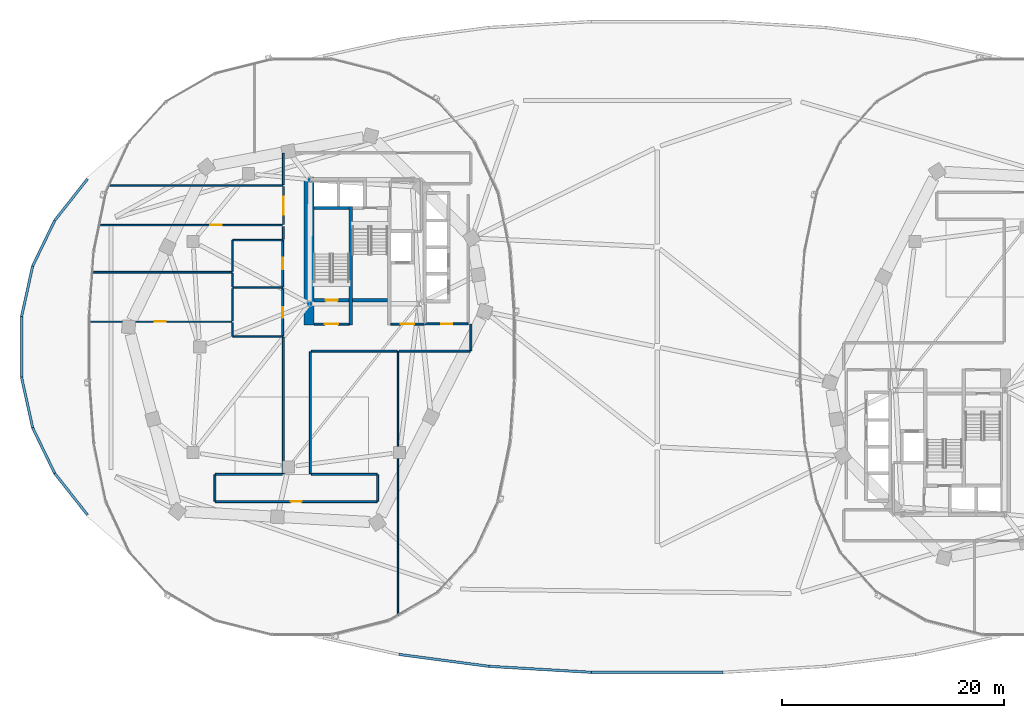
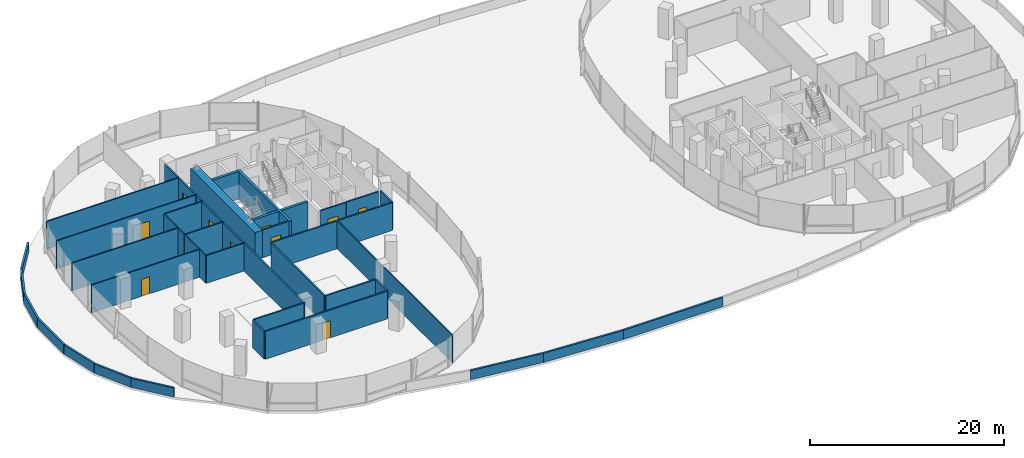
# One storey, part 18 of 28: 45 walls, 10 doors, 10 openings.
"""IFC4 building model written with IfcOpenShell, lengths in metres."""

from ifc_helpers import new_model, si_unit, direction, frame, frame_2d, origin, place, context, subcontext, project, spatial, rectangle, extrude, material, layer, layer_set, type_object, element, fill, save


model = new_model("IFC4")

# Units and contexts
model_context = context("Model", 3, precision=1e-05, world=origin(), true_north=direction((0.0, 1.0)))
body_context = subcontext(model_context, "Body", "Model", "MODEL_VIEW")
ifc_project = project(units=[si_unit("LENGTHUNIT", "METRE"), si_unit("AREAUNIT", "SQUARE_METRE"), si_unit("VOLUMEUNIT", "CUBIC_METRE"), si_unit("PLANEANGLEUNIT", "RADIAN"), si_unit("MASSUNIT", "GRAM", prefix="KILO"), si_unit("THERMODYNAMICTEMPERATUREUNIT", "KELVIN"), si_unit("POWERUNIT", "WATT")], contexts=[model_context])

# Site, building, storey
site_placement = place(None, origin())
site = spatial("IfcSite", under=ifc_project, at=site_placement, CompositionType="ELEMENT")
building_placement = place(site_placement, origin())
building = spatial("IfcBuilding", under=site, at=building_placement, Name="Cundina Bronze Exchange", CompositionType="ELEMENT")
storey_placement = place(building_placement, frame((0.0, 0.0, 24.0)))
storey = spatial("IfcBuildingStorey", under=building, at=storey_placement, Name="L05", CompositionType="ELEMENT", Elevation=24.0)

# Wall, opening, door
ifc_material_1 = material(Name="Gypsum Fireboard Partition EI120")
ifc_layer_1 = layer(ifc_material_1, 0.179931640625, Name="Gypsum Fireboard Partition EI120")
ifc_layer_set_1 = layer_set([ifc_layer_1], Name="Gypsum Fireboard Partition EI120")
wall_type_1 = type_object("IfcWallType", Name="WL-COR-180", PredefinedType="PARTITIONING", material=ifc_layer_set_1)
wall_1_placement = place(storey_placement, frame((-23.97998046875, 2.06005859375, 0.0), z_axis=(0.0, 0.0, 1.0), x_axis=(1.0, 0.0, 0.0)))
wall_1 = element("IfcWall", 1, at=wall_1_placement, inside=storey, type_object=wall_type_1, Name="L05 W Firefighting Lobby Exit Wall", PredefinedType="PARTITIONING", context=body_context, shape_type="SweptSolid", body=[
    extrude(rectangle(XDim=3.0, YDim=0.179931640625, at=frame_2d((1.5, 0.0))), origin(), (0.0, 0.0, 1.0), 3.5),
])
opening_1_placement = place(wall_1_placement, frame((0.89990234375, 0.0, 0.0)))
opening_1 = element("IfcOpeningElement", 2, at=opening_1_placement, cuts=wall_1, Name="Opening DF-01", PredefinedType="OPENING", context=body_context, shape_type="SweptSolid", body=[
    extrude(rectangle(XDim=1.199951171875, YDim=2.14990234375, at=frame_2d((0.60009765625, 1.074951171875))), frame((0.0, 0.099853515625, 0.0), z_axis=(0.0, -1.0, 0.0), x_axis=(1.0, 0.0, 0.0)), (0.0, 0.0, 1.0), 0.199951171875),
])
ifc_material_2 = material(Name="Steel ASTM A36 Painted", Category="steel")
door_type_1 = type_object("IfcDoorType", Name="DR-FFL-1200", OperationType="NOTDEFINED", PredefinedType="DOOR", material=ifc_material_2)
door_1_placement = place(opening_1_placement, origin())
door_1 = element("IfcDoor", 3, at=door_1_placement, inside=storey, type_object=door_type_1, Name="L05 W Firefighting Lobby Door", OperationType="SINGLE_SWING_RIGHT", OverallHeight=2.14990234375, OverallWidth=1.199951171875, PredefinedType="DOOR", context=body_context, shape_type="SweptSolid", body=[
    extrude(rectangle(XDim=1.199951171875, YDim=2.14990234375, at=frame_2d((0.60009765625, 1.074951171875))), frame((0.0, 0.02490234375, 0.0), z_axis=(0.0, -1.0, 0.0), x_axis=(1.0, 0.0, 0.0)), (0.0, 0.0, 1.0), 0.050048828125),
])
fill(opening_1, door_1)

wall_2_placement = place(storey_placement, frame((-30.89990234375, 2.06005859375, 0.0), z_axis=(0.0, 0.0, 1.0), x_axis=(1.0, 0.0, 0.0)))
wall_2 = element("IfcWall", 4, at=wall_2_placement, inside=storey, type_object=wall_type_1, Name="L05 W Stair Vestibule Exit Wall", PredefinedType="PARTITIONING", context=body_context, shape_type="SweptSolid", body=[
    extrude(rectangle(XDim=3.159912109375, YDim=0.179931640625, at=frame_2d((1.580078125, 0.0))), origin(), (0.0, 0.0, 1.0), 3.5),
])
opening_2_placement = place(wall_2_placement, frame((0.97998046875, 0.0, 0.0)))
opening_2 = element("IfcOpeningElement", 5, at=opening_2_placement, cuts=wall_2, Name="Opening DF-01", PredefinedType="OPENING", context=body_context, shape_type="SweptSolid", body=[
    extrude(rectangle(XDim=1.199951171875, YDim=2.14990234375, at=frame_2d((0.60009765625, 1.074951171875))), frame((0.0, 0.099853515625, 0.0), z_axis=(0.0, -1.0, 0.0), x_axis=(1.0, 0.0, 0.0)), (0.0, 0.0, 1.0), 0.199951171875),
])
door_2_placement = place(opening_2_placement, origin())
door_2 = element("IfcDoor", 6, at=door_2_placement, inside=storey, type_object=door_type_1, Name="L05 W Stair Vestibule Door", OperationType="SINGLE_SWING_LEFT", OverallHeight=2.14990234375, OverallWidth=1.199951171875, PredefinedType="DOOR", context=body_context, shape_type="SweptSolid", body=[
    extrude(rectangle(XDim=1.199951171875, YDim=2.14990234375, at=frame_2d((0.60009765625, 1.074951171875))), frame((0.0, 0.02490234375, 0.0), z_axis=(0.0, -1.0, 0.0), x_axis=(1.0, 0.0, 0.0)), (0.0, 0.0, 1.0), 0.050048828125),
])
fill(opening_2, door_2)

wall_3_placement = place(storey_placement, frame((-20.8701171875, 2.070068359375, 0.0), z_axis=(0.0, 0.0, 1.0), x_axis=(1.0, 0.0, 0.0)))
wall_3 = element("IfcWall", 7, at=wall_3_placement, inside=storey, type_object=wall_type_1, Name="L05 Interior Partition 002", PredefinedType="PARTITIONING", context=body_context, shape_type="SweptSolid", body=[
    extrude(rectangle(XDim=3.830078125, YDim=0.179931640625, at=frame_2d((1.9150390625, 0.0))), origin(), (0.0, 0.0, 1.0), 3.5),
])
opening_3_placement = place(wall_3_placement, frame((1.43994140625, 0.0, 0.0)))
opening_3 = element("IfcOpeningElement", 8, at=opening_3_placement, cuts=wall_3, Name="Opening DW-01", PredefinedType="OPENING", context=body_context, shape_type="SweptSolid", body=[
    extrude(rectangle(XDim=0.949951171875, YDim=2.10009765625, at=frame_2d((0.47509765625, 1.050048828125))), frame((0.0, 0.099853515625, 0.0), z_axis=(0.0, -1.0, 0.0), x_axis=(1.0, 0.0, 0.0)), (0.0, 0.0, 1.0), 0.199951171875),
])
ifc_material_3 = material(Name="Solid Andean Oak Timber Grade A", Category="wood")
door_type_2 = type_object("IfcDoorType", Name="DR-WC-950", OperationType="NOTDEFINED", PredefinedType="DOOR", material=ifc_material_3)
door_3_placement = place(opening_3_placement, origin())
door_3 = element("IfcDoor", 9, at=door_3_placement, inside=storey, type_object=door_type_2, Name="L05 Interior Door 002", OperationType="SINGLE_SWING_LEFT", OverallHeight=2.10009765625, OverallWidth=0.949951171875, PredefinedType="DOOR", context=body_context, shape_type="SweptSolid", body=[
    extrude(rectangle(XDim=0.949951171875, YDim=2.10009765625, at=frame_2d((0.47509765625, 1.050048828125))), frame((0.0, 0.02490234375, 0.0), z_axis=(0.0, -1.0, 0.0), x_axis=(1.0, 0.0, 0.0)), (0.0, 0.0, 1.0), 0.050048828125),
])
fill(opening_3, door_3)

wall_4_placement = place(storey_placement, frame((-33.719970703125, 0.969970703125, 0.0), z_axis=(0.0, 0.0, 1.0), x_axis=(0.0, 1.0, 0.0)))
wall_4 = element("IfcWall", 10, at=wall_4_placement, inside=storey, type_object=wall_type_1, Name="L05 Interior Partition 014", PredefinedType="PARTITIONING", context=body_context, shape_type="SweptSolid", body=[
    extrude(rectangle(XDim=4.260009765625, YDim=0.179931640625, at=frame_2d((2.1298828125, 0.0))), origin(), (0.0, 0.0, 1.0), 3.5),
])
opening_4_placement = place(wall_4_placement, frame((1.655029296875, 0.0, 0.0)))
opening_4 = element("IfcOpeningElement", 11, at=opening_4_placement, cuts=wall_4, Name="Opening DW-01", PredefinedType="OPENING", context=body_context, shape_type="SweptSolid", body=[
    extrude(rectangle(XDim=0.949951171875, YDim=2.10009765625, at=frame_2d((0.47509765625, 1.050048828125))), frame((0.0, 0.099853515625, 0.0), z_axis=(0.0, -1.0, 0.0), x_axis=(1.0, 0.0, 0.0)), (0.0, 0.0, 1.0), 0.199951171875),
])
door_4_placement = place(opening_4_placement, origin())
door_4 = element("IfcDoor", 12, at=door_4_placement, inside=storey, type_object=door_type_2, Name="L05 Interior Door 014", OperationType="SINGLE_SWING_LEFT", OverallHeight=2.10009765625, OverallWidth=0.949951171875, PredefinedType="DOOR", context=body_context, shape_type="SweptSolid", body=[
    extrude(rectangle(XDim=0.949951171875, YDim=2.10009765625, at=frame_2d((0.47509765625, 1.050048828125))), frame((0.0, 0.02490234375, 0.0), z_axis=(0.0, -1.0, 0.0), x_axis=(1.0, 0.0, 0.0)), (0.0, 0.0, 1.0), 0.050048828125),
])
fill(opening_4, door_4)

wall_5_placement = place(storey_placement, frame((-33.719970703125, 5.429931640625, 0.0), z_axis=(0.0, 0.0, 1.0), x_axis=(0.0, 1.0, 0.0)))
wall_5 = element("IfcWall", 13, at=wall_5_placement, inside=storey, type_object=wall_type_1, Name="L05 Interior Partition 015", PredefinedType="PARTITIONING", context=body_context, shape_type="SweptSolid", body=[
    extrude(rectangle(XDim=4.16015625, YDim=0.179931640625, at=frame_2d((2.080078125, 0.0))), origin(), (0.0, 0.0, 1.0), 3.5),
])
opening_5_placement = place(wall_5_placement, frame((1.580078125, 0.0, 0.0)))
opening_5 = element("IfcOpeningElement", 14, at=opening_5_placement, cuts=wall_5, Name="Opening DO-01", PredefinedType="OPENING", context=body_context, shape_type="SweptSolid", body=[
    extrude(rectangle(XDim=1.0, YDim=2.14990234375, at=frame_2d((0.5, 1.074951171875))), frame((0.0, 0.099853515625, 0.0), z_axis=(0.0, -1.0, 0.0), x_axis=(1.0, 0.0, 0.0)), (0.0, 0.0, 1.0), 0.199951171875),
])
door_type_3 = type_object("IfcDoorType", Name="DR-OFF-1000", OperationType="NOTDEFINED", PredefinedType="DOOR", material=ifc_material_3)
door_5_placement = place(opening_5_placement, origin())
door_5 = element("IfcDoor", 15, at=door_5_placement, inside=storey, type_object=door_type_3, Name="L05 Interior Door 015", OperationType="SINGLE_SWING_LEFT", OverallHeight=2.14990234375, OverallWidth=1.0, PredefinedType="DOOR", context=body_context, shape_type="SweptSolid", body=[
    extrude(rectangle(XDim=1.0, YDim=2.14990234375, at=frame_2d((0.5, 1.074951171875))), frame((0.0, 0.02490234375, 0.0), z_axis=(0.0, -1.0, 0.0), x_axis=(1.0, 0.0, 0.0)), (0.0, 0.0, 1.0), 0.050048828125),
])
fill(opening_5, door_5)

wall_6_placement = place(storey_placement, frame((-39.778564453125, -13.919921875, 0.0), z_axis=(0.0, 0.0, 1.0), x_axis=(1.0, 0.0, 0.0)))
wall_6 = element("IfcWall", 16, at=wall_6_placement, inside=storey, type_object=wall_type_1, Name="L05 Interior Partition 020", PredefinedType="PARTITIONING", context=body_context, shape_type="SweptSolid", body=[
    extrude(rectangle(XDim=14.55712890625, YDim=0.179931640625, at=frame_2d((7.278564453125, 0.0))), origin(), (0.0, 0.0, 1.0), 3.5),
])
opening_6_placement = place(wall_6_placement, frame((6.778564453125, 0.0, 0.0)))
opening_6 = element("IfcOpeningElement", 17, at=opening_6_placement, cuts=wall_6, Name="Opening DO-01", PredefinedType="OPENING", context=body_context, shape_type="SweptSolid", body=[
    extrude(rectangle(XDim=1.0, YDim=2.14990234375, at=frame_2d((0.5, 1.074951171875))), frame((0.0, 0.099853515625, 0.0), z_axis=(0.0, -1.0, 0.0), x_axis=(1.0, 0.0, 0.0)), (0.0, 0.0, 1.0), 0.199951171875),
])
door_6_placement = place(opening_6_placement, origin())
door_6 = element("IfcDoor", 18, at=door_6_placement, inside=storey, type_object=door_type_3, Name="L05 Interior Door 020", OperationType="SINGLE_SWING_RIGHT", OverallHeight=2.14990234375, OverallWidth=1.0, PredefinedType="DOOR", context=body_context, shape_type="SweptSolid", body=[
    extrude(rectangle(XDim=1.0, YDim=2.14990234375, at=frame_2d((0.5, 1.074951171875))), frame((0.0, 0.02490234375, 0.0), z_axis=(0.0, -1.0, 0.0), x_axis=(1.0, 0.0, 0.0)), (0.0, 0.0, 1.0), 0.050048828125),
])
fill(opening_6, door_6)

# Walls
wall_7_placement = place(storey_placement, frame((-33.669921875, 0.858642578125, 0.0), z_axis=(0.0, 0.0, 1.0), x_axis=(0.0, -1.0, 0.0)))
element("IfcWall", 19, at=wall_7_placement, inside=storey, type_object=wall_type_1, Name="L05 Interior Partition 021", PredefinedType="PARTITIONING", context=body_context, shape_type="SweptSolid", body=[
    extrude(rectangle(XDim=12.258544921875, YDim=0.179931640625, at=frame_2d((6.12939453125, 0.0))), origin(), (0.0, 0.0, 1.0), 3.5),
])
wall_8_placement = place(storey_placement, frame((-31.22998046875, -11.39990234375, 0.0), z_axis=(0.0, 0.0, 1.0), x_axis=(0.0, 1.0, 0.0)))
element("IfcWall", 20, at=wall_8_placement, inside=storey, type_object=wall_type_1, Name="L05 Interior Partition 022", PredefinedType="PARTITIONING", context=body_context, shape_type="SweptSolid", body=[
    extrude(rectangle(XDim=10.949951171875, YDim=0.179931640625, at=frame_2d((5.47509765625, 0.0))), origin(), (0.0, 0.0, 1.0), 3.5),
])
wall_9_placement = place(storey_placement, frame((-31.14990234375, -0.3701171875, 0.0), z_axis=(0.0, 0.0, 1.0), x_axis=(1.0, 0.0, 0.0)))
element("IfcWall", 21, at=wall_9_placement, inside=storey, type_object=wall_type_1, Name="L05 Interior Partition 023", PredefinedType="PARTITIONING", context=body_context, shape_type="SweptSolid", body=[
    extrude(rectangle(XDim=7.719970703125, YDim=0.179931640625, at=frame_2d((3.85986328125, 0.0))), origin(), (0.0, 0.0, 1.0), 3.5),
])
wall_10_placement = place(storey_placement, frame((-33.75, -11.47998046875, 0.0), z_axis=(0.0, 0.0, 1.0), x_axis=(-1.0, 0.0, 0.0)))
element("IfcWall", 22, at=wall_10_placement, inside=storey, type_object=wall_type_1, Name="L05 Interior Partition 024", PredefinedType="PARTITIONING", context=body_context, shape_type="SweptSolid", body=[
    extrude(rectangle(XDim=6.028564453125, YDim=0.179931640625, at=frame_2d((3.01416015625, 0.0))), origin(), (0.0, 0.0, 1.0), 3.5),
])
wall_11_placement = place(storey_placement, frame((-25.221435546875, -11.47998046875, 0.0), z_axis=(0.0, 0.0, 1.0), x_axis=(-1.0, 0.0, 0.0)))
element("IfcWall", 23, at=wall_11_placement, inside=storey, type_object=wall_type_1, Name="L05 Interior Partition 025", PredefinedType="PARTITIONING", context=body_context, shape_type="SweptSolid", body=[
    extrude(rectangle(XDim=5.928466796875, YDim=0.179931640625, at=frame_2d((2.96435546875, 0.0))), origin(), (0.0, 0.0, 1.0), 3.5),
])
for number, where, z_axis, x_axis, name in (
    (24, (-39.820068359375, -11.521484375, 0.0), (0.0, 0.0, 1.0), (0.0, -1.0, 0.0), "L05 Interior Partition 026"),
    (25, (-25.179931640625, -13.87841796875, 0.0), (0.0, 0.0, 1.0), (0.0, 1.0, 0.0), "L05 Interior Partition 027"),
):
    element("IfcWall", number, at=place(storey_placement, frame(where, z_axis=z_axis, x_axis=x_axis)), inside=storey, type_object=wall_type_1, Name=name, PredefinedType="PARTITIONING", context=body_context, shape_type="SweptSolid", body=[
        extrude(rectangle(XDim=2.35693359375, YDim=0.179931640625, at=frame_2d((1.178466796875, 0.0))), origin(), (0.0, 0.0, 1.0), 3.5),
    ])
wall_12_placement = place(storey_placement, frame((-23.25, -0.3701171875, 0.0), z_axis=(0.0, 0.0, 1.0), x_axis=(1.0, 0.0, 0.0)))
element("IfcWall", 26, at=wall_12_placement, inside=storey, type_object=wall_type_1, Name="L05 Interior Partition 029", PredefinedType="PARTITIONING", context=body_context, shape_type="SweptSolid", body=[
    extrude(rectangle(XDim=6.428466796875, YDim=0.179931640625, at=frame_2d((3.21435546875, 0.0))), origin(), (0.0, 0.0, 1.0), 3.5),
])
wall_13_placement = place(storey_placement, frame((-33.669921875, 17.428466796875, 0.0), z_axis=(0.0, 0.0, 1.0), x_axis=(0.0, -1.0, 0.0)))
element("IfcWall", 27, at=wall_13_placement, inside=storey, type_object=wall_type_1, Name="L05 Interior Partition 031", PredefinedType="PARTITIONING", context=body_context, shape_type="SweptSolid", body=[
    extrude(rectangle(XDim=2.818359375, YDim=0.179931640625, at=frame_2d((1.4091796875, 0.0))), origin(), (0.0, 0.0, 1.0), 3.5),
])
wall_14_placement = place(storey_placement, frame((-16.780029296875, -0.32861328125, 0.0), z_axis=(0.0, 0.0, 1.0), x_axis=(0.0, 1.0, 0.0)))
element("IfcWall", 28, at=wall_14_placement, inside=storey, type_object=wall_type_1, Name="L05 Interior Partition 033", PredefinedType="PARTITIONING", context=body_context, shape_type="SweptSolid", body=[
    extrude(rectangle(XDim=2.38720703125, YDim=0.179931640625, at=frame_2d((1.193603515625, 0.0))), origin(), (0.0, 0.0, 1.0), 3.5),
])
wall_15_placement = place(storey_placement, frame((-33.669921875, 10.830078125, 0.0), z_axis=(0.0, 0.0, 1.0), x_axis=(0.0, -1.0, 0.0)))
element("IfcWall", 29, at=wall_15_placement, inside=storey, type_object=wall_type_1, Name="L05 Interior Partition 034", PredefinedType="PARTITIONING", context=body_context, shape_type="SweptSolid", body=[
    extrude(rectangle(XDim=1.128662109375, YDim=0.179931640625, at=frame_2d((0.564453125, 0.0))), origin(), (0.0, 0.0, 1.0), 3.5),
])

# Wall, opening, door
wall_16_placement = place(storey_placement, frame((-33.669921875, 14.429931640625, 0.0), z_axis=(0.0, 0.0, 1.0), x_axis=(0.0, -1.0, 0.0)))
wall_16 = element("IfcWall", 30, at=wall_16_placement, inside=storey, type_object=wall_type_1, Name="L05 Interior Partition 035", PredefinedType="PARTITIONING", context=body_context, shape_type="SweptSolid", body=[
    extrude(rectangle(XDim=3.419921875, YDim=0.179931640625, at=frame_2d((1.7099609375, 0.0))), origin(), (0.0, 0.0, 1.0), 3.5),
])
opening_7_placement = place(wall_16_placement, frame((0.909912109375, 0.0, 0.0)))
opening_7 = element("IfcOpeningElement", 31, at=opening_7_placement, cuts=wall_16, Name="Opening DO-02", PredefinedType="OPENING", context=body_context, shape_type="SweptSolid", body=[
    extrude(rectangle(XDim=1.60009765625, YDim=2.199951171875, at=frame_2d((0.800048828125, 1.10009765625))), frame((0.0, 0.099853515625, 0.0), z_axis=(0.0, -1.0, 0.0), x_axis=(1.0, 0.0, 0.0)), (0.0, 0.0, 1.0), 0.199951171875),
])
door_type_4 = type_object("IfcDoorType", Name="DR-TRD-1600", OperationType="NOTDEFINED", PredefinedType="DOOR", material=ifc_material_3)
door_7_placement = place(opening_7_placement, origin())
door_7 = element("IfcDoor", 32, at=door_7_placement, inside=storey, type_object=door_type_4, Name="L05 Interior Door 035", OperationType="SINGLE_SWING_LEFT", OverallHeight=2.199951171875, OverallWidth=1.60009765625, PredefinedType="DOOR", context=body_context, shape_type="SweptSolid", body=[
    extrude(rectangle(XDim=1.60009765625, YDim=2.199951171875, at=frame_2d((0.800048828125, 1.10009765625))), frame((0.0, 0.02490234375, 0.0), z_axis=(0.0, -1.0, 0.0), x_axis=(1.0, 0.0, 0.0)), (0.0, 0.0, 1.0), 0.050048828125),
])
fill(opening_7, door_7)

# Walls
ifc_material_4 = material(Name="Concrete C60/75", Category="concrete")
ifc_layer_2 = layer(ifc_material_4, 0.89990234375, Name="Concrete C60/75", Category="concrete")
ifc_layer_set_2 = layer_set([ifc_layer_2], Name="Concrete C60/75")
wall_type_2 = type_object("IfcWallType", Name="WL-CORE-900", PredefinedType="SHEAR", material=ifc_layer_set_2)
wall_17_placement = place(storey_placement, frame((-31.35009765625, 1.969970703125, 0.0), z_axis=(0.0, 0.0, 1.0), x_axis=(0.0, 1.0, 0.0)))
element("IfcWall", 33, at=wall_17_placement, inside=storey, type_object=wall_type_2, Name="L05 W Primary Core Shear Spine Wall", PredefinedType="SHEAR", context=body_context, shape_type="SweptSolid", body=[
    extrude(rectangle(XDim=13.330078125, YDim=0.89990234375, at=frame_2d((6.6650390625, 0.0))), origin(), (0.0, 0.0, 1.0), 3.5),
])
ifc_material_5 = material(Name="Gypsum Acoustic Partition EI60")
ifc_layer_3 = layer(ifc_material_5, 0.125, Name="Gypsum Acoustic Partition EI60")
ifc_layer_set_3 = layer_set([ifc_layer_3], Name="Gypsum Acoustic Partition EI60")
wall_type_3 = type_object("IfcWallType", Name="WL-OFF-125", PredefinedType="PARTITIONING", material=ifc_layer_set_3)
wall_18_placement = place(storey_placement, frame((-23.340087890625, -24.220458984375, 0.0), z_axis=(0.0, 0.0, 1.0), x_axis=(0.0, 1.0, 0.0)))
element("IfcWall", 34, at=wall_18_placement, inside=storey, type_object=wall_type_3, Name="L05 Interior Partition 016", PredefinedType="PARTITIONING", context=body_context, shape_type="SweptSolid", body=[
    extrude(rectangle(XDim=23.820556640625, YDim=0.125, at=frame_2d((11.91015625, 0.0))), origin(), (0.0, 0.0, 1.0), 3.5),
])

# Wall, opening, door
wall_19_placement = place(storey_placement, frame((-38.320068359375, 2.27001953125, 0.0), z_axis=(0.0, 0.0, 1.0), x_axis=(-1.0, 0.0, 0.0)))
wall_19 = element("IfcWall", 35, at=wall_19_placement, inside=storey, type_object=wall_type_3, Name="L05 Interior Partition 036", PredefinedType="PARTITIONING", context=body_context, shape_type="SweptSolid", body=[
    extrude(rectangle(XDim=12.837890625, YDim=0.125, at=frame_2d((6.4189453125, 0.0))), origin(), (0.0, 0.0, 1.0), 3.5),
])
opening_8_placement = place(wall_19_placement, frame((5.9189453125, 0.0, 0.0)))
opening_8 = element("IfcOpeningElement", 36, at=opening_8_placement, cuts=wall_19, Name="Opening DO-01", PredefinedType="OPENING", context=body_context, shape_type="SweptSolid", body=[
    extrude(rectangle(XDim=1.0, YDim=2.14990234375, at=frame_2d((0.5, 1.074951171875))), frame((0.0, 0.072509765625, 0.0), z_axis=(0.0, -1.0, 0.0), x_axis=(1.0, 0.0, 0.0)), (0.0, 0.0, 1.0), 0.14501953125),
])
door_8_placement = place(opening_8_placement, origin())
door_8 = element("IfcDoor", 37, at=door_8_placement, inside=storey, type_object=door_type_3, Name="L05 Interior Door 036", OperationType="SINGLE_SWING_RIGHT", OverallHeight=2.14990234375, OverallWidth=1.0, PredefinedType="DOOR", context=body_context, shape_type="SweptSolid", body=[
    extrude(rectangle(XDim=1.0, YDim=2.14990234375, at=frame_2d((0.5, 1.074951171875))), frame((0.0, 0.02490234375, 0.0), z_axis=(0.0, -1.0, 0.0), x_axis=(1.0, 0.0, 0.0)), (0.0, 0.0, 1.0), 0.050048828125),
])
fill(opening_8, door_8)

wall_20_placement = place(storey_placement, frame((-50.301513671875, 10.969970703125, 0.0), z_axis=(0.0, 0.0, 1.0), x_axis=(1.0, 0.0, 0.0)))
wall_20 = element("IfcWall", 38, at=wall_20_placement, inside=storey, type_object=wall_type_3, Name="L05 Interior Partition 037", PredefinedType="PARTITIONING", context=body_context, shape_type="SweptSolid", body=[
    extrude(rectangle(XDim=16.551513671875, YDim=0.125, at=frame_2d((8.27587890625, 0.0))), origin(), (0.0, 0.0, 1.0), 3.5),
])
opening_9_placement = place(wall_20_placement, frame((10.072509765625, 0.0, 0.0)))
opening_9 = element("IfcOpeningElement", 39, at=opening_9_placement, cuts=wall_20, Name="Opening DO-01", PredefinedType="OPENING", context=body_context, shape_type="SweptSolid", body=[
    extrude(rectangle(XDim=1.0, YDim=2.14990234375, at=frame_2d((0.5, 1.074951171875))), frame((0.0, 0.072509765625, 0.0), z_axis=(0.0, -1.0, 0.0), x_axis=(1.0, 0.0, 0.0)), (0.0, 0.0, 1.0), 0.14501953125),
])
door_9_placement = place(opening_9_placement, origin())
door_9 = element("IfcDoor", 40, at=door_9_placement, inside=storey, type_object=door_type_3, Name="L05 Interior Door 037", OperationType="SINGLE_SWING_LEFT", OverallHeight=2.14990234375, OverallWidth=1.0, PredefinedType="DOOR", context=body_context, shape_type="SweptSolid", body=[
    extrude(rectangle(XDim=1.0, YDim=2.14990234375, at=frame_2d((0.5, 1.074951171875))), frame((0.0, 0.02490234375, 0.0), z_axis=(0.0, -1.0, 0.0), x_axis=(1.0, 0.0, 0.0)), (0.0, 0.0, 1.0), 0.050048828125),
])
fill(opening_9, door_9)

# Walls
ifc_material_6 = material(Name="Precast Concrete C45/55", Category="concrete")
ifc_layer_4 = layer(ifc_material_6, 0.219970703125, Name="Precast Concrete C45/55", Category="concrete")
ifc_layer_set_4 = layer_set([ifc_layer_4], Name="Precast Concrete C45/55")
wall_type_4 = type_object("IfcWallType", Name="WL-PAR-220", PredefinedType="PARAPET", material=ifc_layer_set_4)
wall_21_placement = place(storey_placement, frame((5.931884765625, -29.2919921875, 0.0), z_axis=(0.0, 0.0, 1.0), x_axis=(-1.0, 0.0, 0.0)))
element("IfcWall", 41, at=wall_21_placement, inside=storey, type_object=wall_type_4, Name="L05 Central Podium Roof Parapet 1-24", PredefinedType="PARAPET", context=body_context, shape_type="SweptSolid", body=[
    extrude(rectangle(XDim=11.86376953125, YDim=0.219970703125, at=frame_2d((5.931884765625, 0.0))), origin(), (0.0, 0.0, 1.0), 1.14990234375),
])
wall_22_placement = place(storey_placement, frame((-5.931884765625, -29.2919921875, 0.0), z_axis=(0.0, 0.0, 1.0), x_axis=(-0.998304091339, 0.058214613415, 0.0)))
element("IfcWall", 42, at=wall_22_placement, inside=storey, type_object=wall_type_4, Name="L05 Central Podium Roof Parapet 1-25", PredefinedType="PARAPET", context=body_context, shape_type="SweptSolid", body=[
    extrude(rectangle(XDim=9.25146484375, YDim=0.219970703125, at=frame_2d((4.625732421875, 0.0))), origin(), (0.0, 0.0, 1.0), 1.14990234375),
])
wall_23_placement = place(storey_placement, frame((-15.167724609375, -28.75341796875, 0.0), z_axis=(0.0, 0.0, 1.0), x_axis=(-0.99135963019, 0.131171962055, 0.0)))
element("IfcWall", 43, at=wall_23_placement, inside=storey, type_object=wall_type_4, Name="L05 Central Podium Roof Parapet 1-26", PredefinedType="PARAPET", context=body_context, shape_type="SweptSolid", body=[
    extrude(rectangle(XDim=8.15966796875, YDim=0.219970703125, at=frame_2d((4.079833984375, 0.0))), origin(), (0.0, 0.0, 1.0), 1.14990234375),
])
wall_24_placement = place(storey_placement, frame((-51.29541015625, -15.119873046875, 0.0), z_axis=(0.0, 0.0, 1.0), x_axis=(-0.619435057485, 0.785047902716, 0.0)))
element("IfcWall", 44, at=wall_24_placement, inside=storey, type_object=wall_type_4, Name="L05 Central Podium Roof Parapet 3-01", PredefinedType="PARAPET", context=body_context, shape_type="SweptSolid", body=[
    extrude(rectangle(XDim=4.767333984375, YDim=0.219970703125, at=frame_2d((2.3837890625, 0.0))), origin(), (0.0, 0.0, 1.0), 1.14990234375),
])
wall_25_placement = place(storey_placement, frame((-54.24853515625, -11.377197265625, 0.0), z_axis=(0.0, 0.0, 1.0), x_axis=(-0.4358003268, 0.900043374044, 0.0)))
element("IfcWall", 45, at=wall_25_placement, inside=storey, type_object=wall_type_4, Name="L05 Central Podium Roof Parapet 3-02", PredefinedType="PARAPET", context=body_context, shape_type="SweptSolid", body=[
    extrude(rectangle(XDim=4.557861328125, YDim=0.219970703125, at=frame_2d((2.27880859375, 0.0))), origin(), (0.0, 0.0, 1.0), 1.14990234375),
])
wall_26_placement = place(storey_placement, frame((-56.23486328125, -7.27490234375, 0.0), z_axis=(0.0, 0.0, 1.0), x_axis=(-0.214454854695, 0.976733901991, 0.0)))
element("IfcWall", 46, at=wall_26_placement, inside=storey, type_object=wall_type_4, Name="L05 Central Podium Roof Parapet 3-03", PredefinedType="PARAPET", context=body_context, shape_type="SweptSolid", body=[
    extrude(rectangle(XDim=4.658447265625, YDim=0.219970703125, at=frame_2d((2.3291015625, 0.0))), origin(), (0.0, 0.0, 1.0), 1.14990234375),
])
wall_27_placement = place(storey_placement, frame((-57.23388671875, -2.724853515625, 0.0), z_axis=(0.0, 0.0, 1.0), x_axis=(0.0, 1.0, 0.0)))
element("IfcWall", 47, at=wall_27_placement, inside=storey, type_object=wall_type_4, Name="L05 Central Podium Roof Parapet 3-04", PredefinedType="PARAPET", context=body_context, shape_type="SweptSolid", body=[
    extrude(rectangle(XDim=5.44970703125, YDim=0.219970703125, at=frame_2d((2.724853515625, 0.0))), origin(), (0.0, 0.0, 1.0), 1.14990234375),
])
wall_28_placement = place(storey_placement, frame((-57.23388671875, 2.724853515625, 0.0), z_axis=(0.0, 0.0, 1.0), x_axis=(0.214454854695, 0.976733901991, 0.0)))
element("IfcWall", 48, at=wall_28_placement, inside=storey, type_object=wall_type_4, Name="L05 Central Podium Roof Parapet 3-05", PredefinedType="PARAPET", context=body_context, shape_type="SweptSolid", body=[
    extrude(rectangle(XDim=4.658447265625, YDim=0.219970703125, at=frame_2d((2.3291015625, 0.0))), origin(), (0.0, 0.0, 1.0), 1.14990234375),
])
wall_29_placement = place(storey_placement, frame((-56.23486328125, 7.27490234375, 0.0), z_axis=(0.0, 0.0, 1.0), x_axis=(0.4358003268, 0.900043374044, 0.0)))
element("IfcWall", 49, at=wall_29_placement, inside=storey, type_object=wall_type_4, Name="L05 Central Podium Roof Parapet 3-06", PredefinedType="PARAPET", context=body_context, shape_type="SweptSolid", body=[
    extrude(rectangle(XDim=4.557861328125, YDim=0.219970703125, at=frame_2d((2.27880859375, 0.0))), origin(), (0.0, 0.0, 1.0), 1.14990234375),
])
wall_30_placement = place(storey_placement, frame((-54.24853515625, 11.377197265625, 0.0), z_axis=(0.0, 0.0, 1.0), x_axis=(0.619435057485, 0.785047902716, 0.0)))
element("IfcWall", 50, at=wall_30_placement, inside=storey, type_object=wall_type_4, Name="L05 Central Podium Roof Parapet 3-07", PredefinedType="PARAPET", context=body_context, shape_type="SweptSolid", body=[
    extrude(rectangle(XDim=4.767333984375, YDim=0.219970703125, at=frame_2d((2.3837890625, 0.0))), origin(), (0.0, 0.0, 1.0), 1.14990234375),
])
ifc_material_7 = material(Name="Concrete C50/60", Category="concrete")
ifc_layer_5 = layer(ifc_material_7, 0.300048828125, Name="Concrete C50/60", Category="concrete")
ifc_layer_set_5 = layer_set([ifc_layer_5], Name="Concrete C50/60")
wall_type_5 = type_object("IfcWallType", Name="WL-SHFT-300", PredefinedType="SHEAR", material=ifc_layer_set_5)
wall_31_placement = place(storey_placement, frame((-27.590087890625, 1.969970703125, 0.0), z_axis=(0.0, 0.0, 1.0), x_axis=(0.0, 1.0, 0.0)))
element("IfcWall", 51, at=wall_31_placement, inside=storey, type_object=wall_type_5, Name="L05 W Stair Shaft Dividing Shear Wall", PredefinedType="SHEAR", context=body_context, shape_type="SweptSolid", body=[
    extrude(rectangle(XDim=10.679931640625, YDim=0.300048828125, at=frame_2d((5.33984375, 0.0))), origin(), (0.0, 0.0, 1.0), 3.5),
])

# Wall, opening, door
wall_32_placement = place(storey_placement, frame((-30.89990234375, 4.199951171875, 0.0), z_axis=(0.0, 0.0, 1.0), x_axis=(1.0, 0.0, 0.0)))
wall_32 = element("IfcWall", 52, at=wall_32_placement, inside=storey, type_object=wall_type_5, Name="L05 Stair W1 Landing Wall", PredefinedType="SHEAR", context=body_context, shape_type="SweptSolid", body=[
    extrude(rectangle(XDim=3.159912109375, YDim=0.300048828125, at=frame_2d((1.580078125, 0.0))), origin(), (0.0, 0.0, 1.0), 3.5),
])
opening_10_placement = place(wall_32_placement, frame((1.030029296875, 0.0, 0.0)))
opening_10 = element("IfcOpeningElement", 53, at=opening_10_placement, cuts=wall_32, Name="Opening DS-01", PredefinedType="OPENING", context=body_context, shape_type="SweptSolid", body=[
    extrude(rectangle(XDim=1.10009765625, YDim=2.14990234375, at=frame_2d((0.550048828125, 1.074951171875))), frame((0.0, 0.159912109375, 0.0), z_axis=(0.0, -1.0, 0.0), x_axis=(1.0, 0.0, 0.0)), (0.0, 0.0, 1.0), 0.320068359375),
])
door_type_5 = type_object("IfcDoorType", Name="DR-STR-1100", OperationType="NOTDEFINED", PredefinedType="DOOR", material=ifc_material_2)
door_10_placement = place(opening_10_placement, origin())
door_10 = element("IfcDoor", 54, at=door_10_placement, inside=storey, type_object=door_type_5, Name="L05 Smokeproof Stair W1 Door", OperationType="SINGLE_SWING_RIGHT", OverallHeight=2.14990234375, OverallWidth=1.10009765625, PredefinedType="DOOR", context=body_context, shape_type="SweptSolid", body=[
    extrude(rectangle(XDim=1.10009765625, YDim=2.14990234375, at=frame_2d((0.550048828125, 1.074951171875))), frame((0.0, 0.02490234375, 0.0), z_axis=(0.0, -1.0, 0.0), x_axis=(1.0, 0.0, 0.0)), (0.0, 0.0, 1.0), 0.050048828125),
])
fill(opening_10, door_10)

# Walls
for number, where, z_axis, x_axis, name in (
    (55, (-30.89990234375, 12.5, 0.0), (0.0, 0.0, 1.0), (1.0, 0.0, 0.0), "L05 Stair W1 Far Shaft Wall"),
    (56, (-27.43994140625, 4.199951171875, 0.0), (0.0, 0.0, 1.0), (1.0, 0.0, 0.0), "L05 Stair W2 Far Shaft Wall"),
):
    element("IfcWall", number, at=place(storey_placement, frame(where, z_axis=z_axis, x_axis=x_axis)), inside=storey, type_object=wall_type_5, Name=name, PredefinedType="SHEAR", context=body_context, shape_type="SweptSolid", body=[
        extrude(rectangle(XDim=3.159912109375, YDim=0.300048828125, at=frame_2d((1.580078125, 0.0))), origin(), (0.0, 0.0, 1.0), 3.5),
    ])
ifc_layer_6 = layer(ifc_material_5, 0.14990234375, Name="Gypsum Acoustic Partition EI60")
ifc_layer_set_6 = layer_set([ifc_layer_6], Name="Gypsum Acoustic Partition EI60")
wall_type_6 = type_object("IfcWallType", Name="WL-TEN-150", PredefinedType="PARTITIONING", material=ifc_layer_set_6)
wall_33_placement = place(storey_placement, frame((-50.941162109375, 6.719970703125, 0.0), z_axis=(0.0, 0.0, 1.0), x_axis=(1.0, 0.0, 0.0)))
element("IfcWall", 57, at=wall_33_placement, inside=storey, type_object=wall_type_6, Name="L05 Interior Partition 017", PredefinedType="PARTITIONING", context=body_context, shape_type="SweptSolid", body=[
    extrude(rectangle(XDim=12.671142578125, YDim=0.14990234375, at=frame_2d((6.33544921875, 0.0))), origin(), (0.0, 0.0, 1.0), 3.5),
])
wall_34_placement = place(storey_placement, frame((-49.4453125, 14.52001953125, 0.0), z_axis=(0.0, 0.0, 1.0), x_axis=(1.0, 0.0, 0.0)))
element("IfcWall", 58, at=wall_34_placement, inside=storey, type_object=wall_type_6, Name="L05 Interior Partition 018", PredefinedType="PARTITIONING", context=body_context, shape_type="SweptSolid", body=[
    extrude(rectangle(XDim=15.745361328125, YDim=0.14990234375, at=frame_2d((7.87255859375, 0.0))), origin(), (0.0, 0.0, 1.0), 3.5),
])
ifc_material_8 = material(Name="Moisture-Resistant Masonry Block Grade M15", Category="masonry")
ifc_layer_7 = layer(ifc_material_8, 0.139892578125, Name="Moisture-Resistant Masonry Block Grade M15", Category="masonry")
ifc_layer_set_7 = layer_set([ifc_layer_7], Name="Moisture-Resistant Masonry Block Grade M15")
wall_type_7 = type_object("IfcWallType", Name="WL-WET-140", PredefinedType="PARTITIONING", material=ifc_layer_set_7)
wall_35_placement = place(storey_placement, frame((-38.239990234375, 0.969970703125, 0.0), z_axis=(0.0, 0.0, 1.0), x_axis=(0.0, 1.0, 0.0)))
element("IfcWall", 59, at=wall_35_placement, inside=storey, type_object=wall_type_7, Name="L05 Interior Partition 007", PredefinedType="PARTITIONING", context=body_context, shape_type="SweptSolid", body=[
    extrude(rectangle(XDim=1.215087890625, YDim=0.139892578125, at=frame_2d((0.607421875, 0.0))), origin(), (0.0, 0.0, 1.0), 3.5),
])
wall_36_placement = place(storey_placement, frame((-38.239990234375, 2.35498046875, 0.0), z_axis=(0.0, 0.0, 1.0), x_axis=(0.0, 1.0, 0.0)))
element("IfcWall", 60, at=wall_36_placement, inside=storey, type_object=wall_type_7, Name="L05 Interior Partition 008", PredefinedType="PARTITIONING", context=body_context, shape_type="SweptSolid", body=[
    extrude(rectangle(XDim=2.89013671875, YDim=0.139892578125, at=frame_2d((1.445068359375, 0.0))), origin(), (0.0, 0.0, 1.0), 3.5),
])
wall_37_placement = place(storey_placement, frame((-38.239990234375, 5.4150390625, 0.0), z_axis=(0.0, 0.0, 1.0), x_axis=(0.0, 1.0, 0.0)))
element("IfcWall", 61, at=wall_37_placement, inside=storey, type_object=wall_type_7, Name="L05 Interior Partition 009", PredefinedType="PARTITIONING", context=body_context, shape_type="SweptSolid", body=[
    extrude(rectangle(XDim=1.219970703125, YDim=0.139892578125, at=frame_2d((0.60986328125, 0.0))), origin(), (0.0, 0.0, 1.0), 3.5),
])
wall_38_placement = place(storey_placement, frame((-38.239990234375, 6.804931640625, 0.0), z_axis=(0.0, 0.0, 1.0), x_axis=(0.0, 1.0, 0.0)))
element("IfcWall", 62, at=wall_38_placement, inside=storey, type_object=wall_type_7, Name="L05 Interior Partition 010", PredefinedType="PARTITIONING", context=body_context, shape_type="SweptSolid", body=[
    extrude(rectangle(XDim=2.78515625, YDim=0.139892578125, at=frame_2d((1.392578125, 0.0))), origin(), (0.0, 0.0, 1.0), 3.5),
])
for number, where, z_axis, x_axis, name in (
    (63, (-38.219970703125, 0.949951171875, 0.0), (0.0, 0.0, 1.0), (1.0, 0.0, 0.0), "L05 Interior Partition 011"),
    (64, (-38.219970703125, 5.330078125, 0.0), (0.0, 0.0, 1.0), (1.0, 0.0, 0.0), "L05 Interior Partition 012"),
    (65, (-38.219970703125, 9.610107421875, 0.0), (0.0, 0.0, 1.0), (1.0, 0.0, 0.0), "L05 Interior Partition 013"),
):
    element("IfcWall", number, at=place(storey_placement, frame(where, z_axis=z_axis, x_axis=x_axis)), inside=storey, type_object=wall_type_7, Name=name, PredefinedType="PARTITIONING", context=body_context, shape_type="SweptSolid", body=[
        extrude(rectangle(XDim=4.47998046875, YDim=0.139892578125, at=frame_2d((2.239990234375, 0.0))), origin(), (0.0, 0.0, 1.0), 3.5),
    ])

save(model, "model.ifc")
